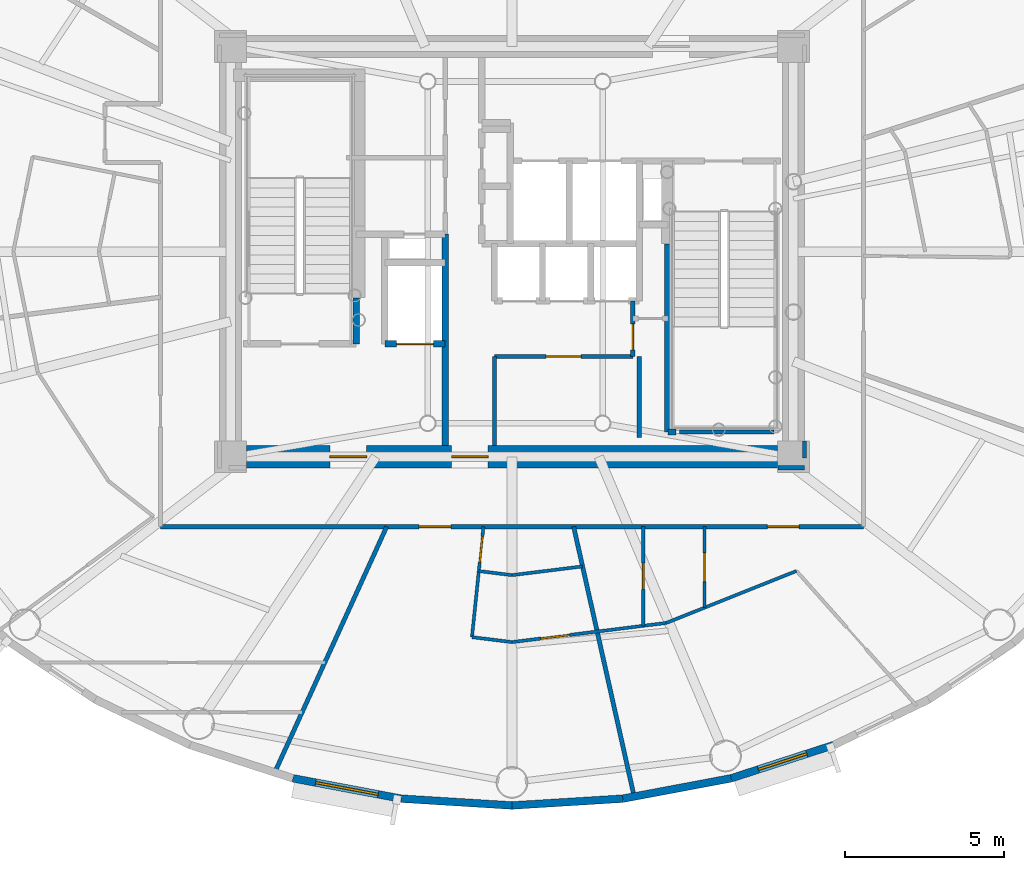
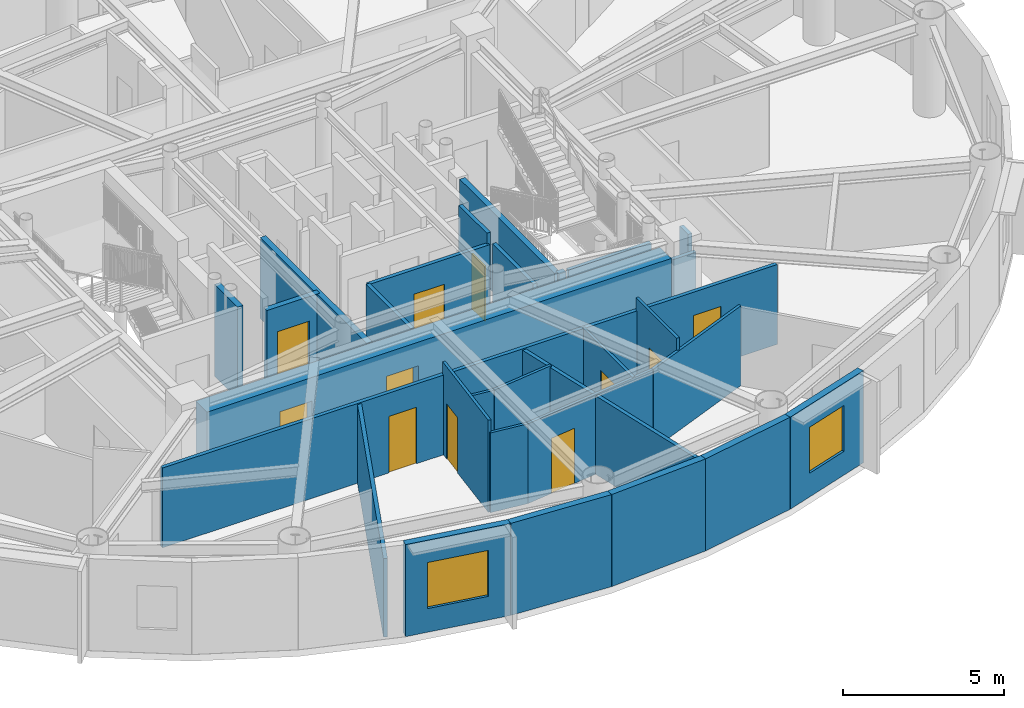
# One storey, part 6 of 17: 29 walls, 11 doors, 2 windows, 13 openings.
"""IFC4 building model written with IfcOpenShell, lengths in metres."""

import ifcopenshell
import ifcopenshell.guid

model = None  # the IFC model being written
_history = None  # IfcOwnerHistory: only IFC2X3 demands one
_inside = {}  # id of a spatial element -> (the spatial element, [elements in it])
_under = {}  # id of a project, library or spatial element -> (it, [spatial elements below it])
_declared = {}  # id of a project -> (the project, [libraries it declares])
_typed = {}  # id of a type object -> (the type object, [elements of that type])
_made_of = {}  # id of a material, layer set ... -> (it, [elements and type objects made of it])


def new_model(schema):
    """Start an empty IFC model of exactly this schema.

    Asked for "IFC4X3", IfcOpenShell would pick the latest addendum, in which some entities
    have other attributes; the version numbers below select the first issue.
    IFC2X3 requires an IfcOwnerHistory on every rooted entity: one is made here for all.
    """
    global model, _history
    if schema == "IFC4X3":
        model = ifcopenshell.file(schema_version=(4, 3, 0, 0))
    else:
        model = ifcopenshell.file(schema=schema)
    _inside.clear()
    _under.clear()
    _declared.clear()
    _typed.clear()
    _made_of.clear()
    _history = None
    if model.schema == "IFC2X3":
        org = make("IfcOrganization", Name="unknown")
        user = make(
            "IfcPersonAndOrganization",
            ThePerson=make("IfcPerson", FamilyName="unknown"),
            TheOrganization=org,
        )
        app = make(
            "IfcApplication",
            ApplicationDeveloper=org,
            Version="unknown",
            ApplicationFullName="unknown",
            ApplicationIdentifier="unknown",
        )
        _history = make(
            "IfcOwnerHistory",
            OwningUser=user,
            OwningApplication=app,
            ChangeAction="ADDED",
            CreationDate=0,
        )
    return model


def make(cls, **values):
    """One entity of the class cls with the attributes given. An attribute that is None is left unset."""
    return model.create_entity(
        cls, **{name: value for name, value in values.items() if value is not None}
    )


def rooted(cls, **values):
    """An entity with a GlobalId (a new one), such as an element, a storey or a relation."""
    return make(cls, GlobalId=ifcopenshell.guid.new(), OwnerHistory=_history, **values)


def si_unit(unit_type, name, prefix=None):
    """IfcSIUnit, for example si_unit("LENGTHUNIT", "METRE", prefix="MILLI")."""
    return make("IfcSIUnit", UnitType=unit_type, Prefix=prefix, Name=name)


def assignment(units):
    """IfcUnitAssignment: the units of a project."""
    return None if units is None else make("IfcUnitAssignment", Units=units)


def point(xyz):
    """IfcCartesianPoint."""
    return None if xyz is None else make("IfcCartesianPoint", Coordinates=xyz)


def direction(xyz):
    """IfcDirection."""
    return None if xyz is None else make("IfcDirection", DirectionRatios=xyz)


def frame(location, z_axis=None, x_axis=None):
    """IfcAxis2Placement3D, a coordinate frame: its origin and axes. An axis left out is left unset."""
    return make(
        "IfcAxis2Placement3D",
        Location=point(location),
        Axis=direction(z_axis),
        RefDirection=direction(x_axis),
    )


def frame_2d(location, x_axis=None):
    """IfcAxis2Placement2D, a coordinate frame in the plane: its origin and x axis."""
    return make(
        "IfcAxis2Placement2D", Location=point(location), RefDirection=direction(x_axis)
    )


def origin():
    """The frame at (0, 0, 0) with its axes left unset."""
    return frame((0.0, 0.0, 0.0))


def origin_2d():
    """The frame at (0, 0) in the plane with its x axis left unset."""
    return frame_2d((0.0, 0.0))


def place(relative_to, where):
    """IfcLocalPlacement: puts the frame where relative to a parent placement (None: the world)."""
    return make(
        "IfcLocalPlacement", PlacementRelTo=relative_to, RelativePlacement=where
    )


def context(
    kind, dimensions, precision=None, world=None, true_north=None, identifier=None
):
    """IfcGeometricRepresentationContext, for example the 3D "Model" context."""
    return make(
        "IfcGeometricRepresentationContext",
        ContextIdentifier=identifier,
        ContextType=kind,
        CoordinateSpaceDimension=dimensions,
        Precision=precision,
        WorldCoordinateSystem=world,
        TrueNorth=true_north,
    )


def subcontext(parent, identifier, kind, view, scale=None):
    """IfcGeometricRepresentationSubContext, for example "Body" below "Model"."""
    return make(
        "IfcGeometricRepresentationSubContext",
        ContextIdentifier=identifier,
        ContextType=kind,
        ParentContext=parent,
        TargetScale=scale,
        TargetView=view,
    )


def project(units=None, contexts=None):
    """IfcProject with its units and contexts."""
    return rooted(
        "IfcProject",
        Name="project",
        RepresentationContexts=contexts,
        UnitsInContext=assignment(units),
    )


def spatial(cls, under=None, at=None, **own):
    """A site, building, storey or space (cls), placed at a placement, below another one or the project."""
    s = rooted(cls, ObjectPlacement=at, **own)
    if under is not None:
        _under.setdefault(under.id(), (under, []))[1].append(s)
    return s


def profile(cls, at=None, kind="AREA", **sizes):
    """A parametric profile (cls). Its sizes go by their IFC names, for example OverallWidth=200.0."""
    return make(cls, ProfileType=kind, Position=at, **sizes)


def rectangle(**sizes):
    """IfcRectangleProfileDef."""
    return profile("IfcRectangleProfileDef", **sizes)


def extrude(swept, where, along, depth):
    """IfcExtrudedAreaSolid: the profile swept, set in the frame where, extruded along a direction by depth."""
    return make(
        "IfcExtrudedAreaSolid",
        SweptArea=swept,
        Position=where,
        ExtrudedDirection=direction(along),
        Depth=depth,
    )


def shape(context_of_items, identifier, shape_type, items):
    """IfcShapeRepresentation: the items that make up one representation, for example the "Body"."""
    return make(
        "IfcShapeRepresentation",
        ContextOfItems=context_of_items,
        RepresentationIdentifier=identifier,
        RepresentationType=shape_type,
        Items=items,
    )


def source(mapping_origin, context_of_items, identifier, shape_type, items):
    """IfcRepresentationMap: a shape defined once, which mapped items show again and again."""
    return make(
        "IfcRepresentationMap",
        MappingOrigin=mapping_origin,
        MappedRepresentation=shape(context_of_items, identifier, shape_type, items),
    )


def transform(
    local_origin,
    x_axis=None,
    y_axis=None,
    z_axis=None,
    scale=None,
    scale2=None,
    scale3=None,
    uniform=True,
):
    """IfcCartesianTransformationOperator3D, or its non-uniform kind. x_axis, y_axis, z_axis: its Axis1, 2, 3."""
    if uniform:
        return make(
            "IfcCartesianTransformationOperator3D",
            Axis1=direction(x_axis),
            Axis2=direction(y_axis),
            LocalOrigin=point(local_origin),
            Scale=scale,
            Axis3=direction(z_axis),
        )
    return make(
        "IfcCartesianTransformationOperator3DnonUniform",
        Axis1=direction(x_axis),
        Axis2=direction(y_axis),
        LocalOrigin=point(local_origin),
        Scale=scale,
        Axis3=direction(z_axis),
        Scale2=scale2,
        Scale3=scale3,
    )


def mapped(mapping_source, mapping_target):
    """IfcMappedItem: shows the shape of a source again, moved by a transform."""
    return make(
        "IfcMappedItem", MappingSource=mapping_source, MappingTarget=mapping_target
    )


def material(Name=None, Category=None):
    """IfcMaterial."""
    return make("IfcMaterial", Name=Name, Category=Category)


def layer(
    of_material, thickness, ventilated=None, Name=None, Category=None, Priority=None
):
    """IfcMaterialLayer: one layer of a wall or slab, of a material (None: an air gap)."""
    return make(
        "IfcMaterialLayer",
        Material=of_material,
        LayerThickness=thickness,
        IsVentilated=ventilated,
        Name=Name,
        Category=Category,
        Priority=Priority,
    )


def layer_set(layers, Name=None):
    """IfcMaterialLayerSet."""
    return make("IfcMaterialLayerSet", MaterialLayers=layers, LayerSetName=Name)


def made_of(thing, what):
    """Note that an element or type object is made of a material, layer set ...; save() writes the relation."""
    if what is not None:
        _made_of.setdefault(what.id(), (what, []))[1].append(thing)
    return thing


def type_object(cls, material=None, **own):
    """A type object (cls), such as IfcWallType, which elements share."""
    return made_of(rooted(cls, **own), material)


def element(
    cls,
    number,
    at=None,
    inside=None,
    cuts=None,
    type_object=None,
    material=None,
    context=None,
    identifier="Body",
    shape_type=None,
    held_by="IfcProductDefinitionShape",
    body=None,
    shapes=None,
    **own,
):
    """One element of the class cls, such as IfcWall. Its Tag is "e" and its number.

    at: its placement. inside: the storey or other place that contains it. cuts: it is an
    opening in that element (IfcRelVoidsElement). A single representation is given by context,
    identifier, shape_type and body (its items); several are given by shapes. held_by: the class
    of the entity that holds the representations. save() writes the other relations.
    """
    e = rooted(cls, Tag="e%d" % number, ObjectPlacement=at, **own)
    if body is not None:
        shapes = [shape(context, identifier, shape_type, body)]
    if shapes is not None:
        e.Representation = make(held_by, Representations=shapes)
    if inside is not None:
        _inside.setdefault(inside.id(), (inside, []))[1].append(e)
    if cuts is not None:
        rooted(
            "IfcRelVoidsElement", RelatingBuildingElement=cuts, RelatedOpeningElement=e
        )
    if type_object is not None:
        _typed.setdefault(type_object.id(), (type_object, []))[1].append(e)
    return made_of(e, material)


def fill(opening, filler):
    """IfcRelFillsElement: the door or window that sits in an opening."""
    return rooted(
        "IfcRelFillsElement",
        RelatingOpeningElement=opening,
        RelatedBuildingElement=filler,
    )


def aggregate(whole, parts):
    """IfcRelAggregates: a whole, such as a stair, and the parts it consists of."""
    return rooted("IfcRelAggregates", RelatingObject=whole, RelatedObjects=parts)


def save(model, path):
    """Write the relations noted so far, then the file.

    IfcRelAggregates (storeys below a building ...), IfcRelContainedInSpatialStructure (elements
    in a storey), IfcRelDefinesByType, IfcRelAssociatesMaterial and IfcRelDeclares: one each for
    every whole, place, type object, material and project.
    """
    for whole, parts in _under.values():
        aggregate(whole, parts)
    for where, things in _inside.values():
        rooted(
            "IfcRelContainedInSpatialStructure",
            RelatedElements=things,
            RelatingStructure=where,
        )
    for kind, things in _typed.values():
        rooted("IfcRelDefinesByType", RelatedObjects=things, RelatingType=kind)
    for what, things in _made_of.values():
        rooted("IfcRelAssociatesMaterial", RelatedObjects=things, RelatingMaterial=what)
    for by, libraries in _declared.values():
        rooted("IfcRelDeclares", RelatingContext=by, RelatedDefinitions=libraries)
    model.write(path)


model = new_model("IFC4")

# Units and contexts
model_context = context("Model", 3, precision=1e-05, world=origin(), true_north=direction((0.0, 1.0)))
body_context = subcontext(model_context, "Body", "Model", "MODEL_VIEW")
ifc_project = project(units=[si_unit("LENGTHUNIT", "METRE"), si_unit("AREAUNIT", "SQUARE_METRE"), si_unit("VOLUMEUNIT", "CUBIC_METRE"), si_unit("PLANEANGLEUNIT", "RADIAN"), si_unit("MASSUNIT", "GRAM", prefix="KILO")], contexts=[model_context])

# Site, building, storey
site_placement = place(None, origin())
site = spatial("IfcSite", under=ifc_project, at=site_placement, CompositionType="ELEMENT")
building_placement = place(site_placement, origin())
building = spatial("IfcBuilding", under=site, at=building_placement, Name="Linh Dai School and Residence Tower", CompositionType="ELEMENT")
storey_placement = place(building_placement, frame((0.0, 0.0, 299.25)))
storey = spatial("IfcBuildingStorey", under=building, at=storey_placement, Name="L74", CompositionType="ELEMENT", Elevation=299.25)

# Wall, opening, window
ifc_material_1 = material(Name="Precast Concrete B45 (C35/45)", Category="concrete")
ifc_layer_1 = layer(ifc_material_1, 0.239990234375)
ifc_layer_set_1 = layer_set([ifc_layer_1], Name="Precast Concrete B45 (C35/45)")
wall_type_1 = type_object("IfcWallType", Name="EW-TC-240", PredefinedType="SOLIDWALL", material=ifc_layer_set_1)
wall_1_placement = place(storey_placement, frame((32.51123046875, 9.800048828125, 0.0), z_axis=(0.0, 0.0, 1.0), x_axis=(-0.982782655757, 0.184765395959, 0.0)))
wall_1 = element("IfcWall", 1, at=wall_1_placement, inside=storey, type_object=wall_type_1, Name="L74 Terracotta Exterior Wall 29", PredefinedType="SOLIDWALL", context=body_context, shape_type="SweptSolid", body=[
    extrude(rectangle(XDim=3.4619140625, YDim=0.239990234375, at=frame_2d((1.73095703125, 0.0))), origin(), (0.0, 0.0, 1.0), 3.5),
])
opening_1_placement = place(wall_1_placement, frame((0.73095703125, 0.0, 0.89990234375)))
opening_1 = element("IfcOpeningElement", 2, at=opening_1_placement, cuts=wall_1, Name="Opening W1", PredefinedType="OPENING", context=body_context, shape_type="SweptSolid", body=[
    extrude(rectangle(XDim=2.0, YDim=1.75, at=origin_2d()), frame((1.0, 0.1298828125, 0.875), z_axis=(0.0, -1.0, 0.0), x_axis=(1.0, 0.0, 0.0)), (0.0, 0.0, 1.0), 0.260009765625),
])
ifc_material_2 = material(Name="Double Low-E Insulated Glazing", Category="glass")
window_type_1 = type_object("IfcWindowType", Name="WN-RES-2000x1750", PartitioningType="DOUBLE_PANEL_VERTICAL", PredefinedType="WINDOW", material=ifc_material_2)
shared_shape_1 = source(origin(), body_context, "Body", "SweptSolid", [
    extrude(rectangle(XDim=2.0, YDim=1.75, at=origin_2d()), frame((1.0, 0.030029296875, 0.875), z_axis=(0.0, -1.0, 0.0), x_axis=(1.0, 0.0, 0.0)), (0.0, 0.0, 1.0), 0.06005859375),
])
window_1_placement = place(opening_1_placement, origin())
window_1 = element("IfcWindow", 3, at=window_1_placement, inside=storey, type_object=window_type_1, Name="L74 Exterior Window 29.1", OverallHeight=1.75, OverallWidth=2.0, PartitioningType="DOUBLE_PANEL_VERTICAL", PredefinedType="WINDOW", context=body_context, shape_type="MappedRepresentation", body=[
    mapped(shared_shape_1, transform((0.0, 0.0, 0.0), x_axis=(1.0, 0.0, 0.0), y_axis=(0.0, 1.0, 0.0), z_axis=(0.0, 0.0, 1.0), scale=1.0)),
])
fill(opening_1, window_1)

# Walls
for number, where, z_axis, x_axis, name in (
    (4, (36.0, 9.5849609375, 0.0), (0.0, 0.0, 1.0), (-0.998104946479, 0.061534671648, 0.0), "L74 Terracotta Exterior Wall 30"),
    (5, (39.48876953125, 9.800048828125, 0.0), (0.0, 0.0, 1.0), (-0.998104946479, -0.061534671648, 0.0), "L74 Terracotta Exterior Wall 31"),
):
    element("IfcWall", number, at=place(storey_placement, frame(where, z_axis=z_axis, x_axis=x_axis)), inside=storey, type_object=wall_type_1, Name=name, PredefinedType="SOLIDWALL", context=body_context, shape_type="SweptSolid", body=[
        extrude(rectangle(XDim=3.495361328125, YDim=0.239990234375, at=frame_2d((1.74755859375, 0.0))), origin(), (0.0, 0.0, 1.0), 3.5),
    ])
wall_2_placement = place(storey_placement, frame((42.89111328125, 10.439697265625, 0.0), z_axis=(0.0, 0.0, 1.0), x_axis=(-0.982782655757, -0.184765395959, 0.0)))
element("IfcWall", 6, at=wall_2_placement, inside=storey, type_object=wall_type_1, Name="L74 Terracotta Exterior Wall 32", PredefinedType="SOLIDWALL", context=body_context, shape_type="SweptSolid", body=[
    extrude(rectangle(XDim=3.4619140625, YDim=0.239990234375, at=frame_2d((1.73095703125, 0.0))), origin(), (0.0, 0.0, 1.0), 3.5),
])

# Wall, opening, window
wall_3_placement = place(storey_placement, frame((46.123046875, 11.48779296875, 0.0), z_axis=(0.0, 0.0, 1.0), x_axis=(-0.95123136723, -0.308478339592, 0.0)))
wall_3 = element("IfcWall", 7, at=wall_3_placement, inside=storey, type_object=wall_type_1, Name="L74 Terracotta Exterior Wall 33", PredefinedType="SOLIDWALL", context=body_context, shape_type="SweptSolid", body=[
    extrude(rectangle(XDim=3.397705078125, YDim=0.239990234375, at=frame_2d((1.69873046875, 0.0))), origin(), (0.0, 0.0, 1.0), 3.5),
])
opening_2_placement = place(wall_3_placement, frame((0.89892578125, 0.0, 0.89990234375)))
opening_2 = element("IfcOpeningElement", 8, at=opening_2_placement, cuts=wall_3, Name="Opening W2", PredefinedType="OPENING", context=body_context, shape_type="SweptSolid", body=[
    extrude(rectangle(XDim=1.60009765625, YDim=1.75, at=origin_2d()), frame((0.800048828125, 0.1298828125, 0.875), z_axis=(0.0, -1.0, 0.0), x_axis=(1.0, 0.0, 0.0)), (0.0, 0.0, 1.0), 0.260009765625),
])
window_type_2 = type_object("IfcWindowType", Name="WN-RES-1600x1750", PartitioningType="DOUBLE_PANEL_VERTICAL", PredefinedType="WINDOW", material=ifc_material_2)
shared_shape_2 = source(origin(), body_context, "Body", "SweptSolid", [
    extrude(rectangle(XDim=1.60009765625, YDim=1.75, at=origin_2d()), frame((0.800048828125, 0.030029296875, 0.875), z_axis=(0.0, -1.0, 0.0), x_axis=(1.0, 0.0, 0.0)), (0.0, 0.0, 1.0), 0.06005859375),
])
window_2_placement = place(opening_2_placement, origin())
window_2 = element("IfcWindow", 9, at=window_2_placement, inside=storey, type_object=window_type_2, Name="L74 Exterior Window 33.1", OverallHeight=1.75, OverallWidth=1.60009765625, PartitioningType="DOUBLE_PANEL_VERTICAL", PredefinedType="WINDOW", context=body_context, shape_type="MappedRepresentation", body=[
    mapped(shared_shape_2, transform((0.0, 0.0, 0.0), x_axis=(1.0, 0.0, 0.0), y_axis=(0.0, 1.0, 0.0), z_axis=(0.0, 0.0, 1.0), scale=1.0)),
])
fill(opening_2, window_2)

# Wall, openings, doors
ifc_material_3 = material(Name="Autoclaved Aerated Concrete Blockwork", Category="masonry")
ifc_layer_2 = layer(ifc_material_3, 0.135009765625)
ifc_layer_set_2 = layer_set([ifc_layer_2], Name="Autoclaved Aerated Concrete Blockwork")
wall_type_2 = type_object("IfcWallType", Name="IW-CORR-135-EI90", PredefinedType="PARTITIONING", material=ifc_layer_set_2)
wall_4_placement = place(storey_placement, frame((24.949951171875, 18.35009765625, 0.0), z_axis=(0.0, 0.0, 1.0), x_axis=(1.0, 0.0, 0.0)))
wall_4 = element("IfcWall", 10, at=wall_4_placement, inside=storey, type_object=wall_type_2, Name="L74 Interior Partition Wall 017", PredefinedType="PARTITIONING", context=body_context, shape_type="SweptSolid", body=[
    extrude(rectangle(XDim=22.10009765625, YDim=0.135009765625, at=frame_2d((11.050048828125, 0.0))), origin(), (0.0, 0.0, 1.0), 3.034912109375),
])
opening_3_placement = place(wall_4_placement, frame((8.130615234375, 0.0, 0.0)))
opening_3 = element("IfcOpeningElement", 11, at=opening_3_placement, cuts=wall_4, Name="Opening D03", PredefinedType="OPENING", context=body_context, shape_type="SweptSolid", body=[
    extrude(rectangle(XDim=1.0, YDim=2.14990234375, at=origin_2d()), frame((0.5, 0.07763671875, 1.074951171875), z_axis=(0.0, -1.0, 0.0), x_axis=(1.0, 0.0, 0.0)), (0.0, 0.0, 1.0), 0.155029296875),
])
opening_4_placement = place(wall_4_placement, frame((19.08056640625, 0.0, 0.0)))
opening_4 = element("IfcOpeningElement", 12, at=opening_4_placement, cuts=wall_4, Name="Opening D03", PredefinedType="OPENING", context=body_context, shape_type="SweptSolid", body=[
    extrude(rectangle(XDim=1.0, YDim=2.14990234375, at=origin_2d()), frame((0.5, 0.07763671875, 1.074951171875), z_axis=(0.0, -1.0, 0.0), x_axis=(1.0, 0.0, 0.0)), (0.0, 0.0, 1.0), 0.155029296875),
])
ifc_material_4 = material(Name="Fire-Rated Solid Timber Entrance Door", Category="wood")
door_type_1 = type_object("IfcDoorType", Name="DR-FLAT-1000x2150-FD60S", OperationType="NOTDEFINED", PredefinedType="DOOR", material=ifc_material_4)
shared_shape_3 = source(origin(), body_context, "Body", "SweptSolid", [
    extrude(rectangle(XDim=1.0, YDim=2.14990234375, at=origin_2d()), frame((0.5, 0.02490234375, 1.074951171875), z_axis=(0.0, -1.0, 0.0), x_axis=(1.0, 0.0, 0.0)), (0.0, 0.0, 1.0), 0.050048828125),
])
door_1_placement = place(opening_3_placement, origin())
door_1 = element("IfcDoor", 13, at=door_1_placement, inside=storey, type_object=door_type_1, Name="L74 U7405 Apartment Entrance Door", OperationType="SINGLE_SWING_LEFT", OverallHeight=2.14990234375, OverallWidth=1.0, PredefinedType="DOOR", context=body_context, shape_type="MappedRepresentation", body=[
    mapped(shared_shape_3, transform((0.0, 0.0, 0.0), x_axis=(1.0, 0.0, 0.0), y_axis=(0.0, 1.0, 0.0), z_axis=(0.0, 0.0, 1.0), scale=1.0)),
])
fill(opening_3, door_1)
door_2_placement = place(opening_4_placement, origin())
door_2 = element("IfcDoor", 14, at=door_2_placement, inside=storey, type_object=door_type_1, Name="L74 U7406 Apartment Entrance Door", OperationType="SINGLE_SWING_RIGHT", OverallHeight=2.14990234375, OverallWidth=1.0, PredefinedType="DOOR", context=body_context, shape_type="MappedRepresentation", body=[
    mapped(shared_shape_3, transform((0.0, 0.0, 0.0), x_axis=(1.0, 0.0, 0.0), y_axis=(0.0, 1.0, 0.0), z_axis=(0.0, 0.0, 1.0), scale=1.0)),
])
fill(opening_4, door_2)

# Walls
wall_5_placement = place(storey_placement, frame((28.537353515625, 10.61962890625, 0.0), z_axis=(0.0, 0.0, 1.0), x_axis=(0.414582330606, 0.910011808247, 0.0)))
element("IfcWall", 15, at=wall_5_placement, inside=storey, type_object=wall_type_2, Name="L74 Interior Partition Wall 025", PredefinedType="PARTITIONING", context=body_context, shape_type="SweptSolid", body=[
    extrude(rectangle(XDim=8.49462890625, YDim=0.135009765625, at=frame_2d((4.247314453125, 0.0))), origin(), (0.0, 0.0, 1.0), 2.985107421875),
])
wall_6_placement = place(storey_placement, frame((35.449951171875, 20.89990234375, 0.0), z_axis=(0.0, 0.0, 1.0), x_axis=(0.0, 1.0, 0.0)))
element("IfcWall", 16, at=wall_6_placement, inside=storey, type_object=wall_type_2, Name="L74 Interior Partition Wall 050", PredefinedType="PARTITIONING", context=body_context, shape_type="SweptSolid", body=[
    extrude(rectangle(XDim=2.800048828125, YDim=0.135009765625, at=frame_2d((1.39990234375, 0.0))), origin(), (0.0, 0.0, 1.0), 3.0849609375),
])

# Wall, opening, door
wall_7_placement = place(storey_placement, frame((35.449951171875, 23.699951171875, 0.0), z_axis=(0.0, 0.0, 1.0), x_axis=(1.0, 0.0, 0.0)))
wall_7 = element("IfcWall", 17, at=wall_7_placement, inside=storey, type_object=wall_type_2, Name="L74 Interior Partition Wall 051", PredefinedType="PARTITIONING", context=body_context, shape_type="SweptSolid", body=[
    extrude(rectangle(XDim=4.35009765625, YDim=0.135009765625, at=frame_2d((2.175048828125, 0.0))), origin(), (0.0, 0.0, 1.0), 3.0849609375),
])
opening_5_placement = place(wall_7_placement, frame((1.625, 0.0, 0.0)))
opening_5 = element("IfcOpeningElement", 18, at=opening_5_placement, cuts=wall_7, Name="Opening D07", PredefinedType="OPENING", context=body_context, shape_type="SweptSolid", body=[
    extrude(rectangle(XDim=1.10009765625, YDim=2.14990234375, at=origin_2d()), frame((0.550048828125, 0.07763671875, 1.074951171875), z_axis=(0.0, -1.0, 0.0), x_axis=(1.0, 0.0, 0.0)), (0.0, 0.0, 1.0), 0.155029296875),
])
ifc_material_5 = material(Name="Fire-Rated Louvred Steel Plant Door", Category="steel")
door_type_2 = type_object("IfcDoorType", Name="DR-PLT-1100x2150-FD60S", OperationType="NOTDEFINED", PredefinedType="DOOR", material=ifc_material_5)
shared_shape_4 = source(origin(), body_context, "Body", "SweptSolid", [
    extrude(rectangle(XDim=1.10009765625, YDim=2.14990234375, at=origin_2d()), frame((0.550048828125, 0.02490234375, 1.074951171875), z_axis=(0.0, -1.0, 0.0), x_axis=(1.0, 0.0, 0.0)), (0.0, 0.0, 1.0), 0.050048828125),
])
door_3_placement = place(opening_5_placement, origin())
door_3 = element("IfcDoor", 19, at=door_3_placement, inside=storey, type_object=door_type_2, Name="L74 Tenant Metering and BMS Room Door", OperationType="SINGLE_SWING_RIGHT", OverallHeight=2.14990234375, OverallWidth=1.10009765625, PredefinedType="DOOR", context=body_context, shape_type="MappedRepresentation", body=[
    mapped(shared_shape_4, transform((0.0, 0.0, 0.0), x_axis=(1.0, 0.0, 0.0), y_axis=(0.0, 1.0, 0.0), z_axis=(0.0, 0.0, 1.0), scale=1.0)),
])
fill(opening_5, door_3)

# Wall
wall_8_placement = place(storey_placement, frame((37.939208984375, 18.35009765625, 0.0), z_axis=(0.0, 0.0, 1.0), x_axis=(0.218784248646, -0.975773258777, 0.0)))
element("IfcWall", 20, at=wall_8_placement, inside=storey, type_object=wall_type_2, Name="L74 Interior Partition Wall 062", PredefinedType="PARTITIONING", context=body_context, shape_type="SweptSolid", body=[
    extrude(rectangle(XDim=8.699462890625, YDim=0.135009765625, at=frame_2d((4.349609375, 0.0))), origin(), (0.0, 0.0, 1.0), 2.985107421875),
])

# Wall, opening, door
wall_9_placement = place(storey_placement, frame((39.800048828125, 23.699951171875, 0.0), z_axis=(0.0, 0.0, 1.0), x_axis=(0.0, 1.0, 0.0)))
wall_9 = element("IfcWall", 21, at=wall_9_placement, inside=storey, type_object=wall_type_2, Name="L74 Interior Partition Wall 065", PredefinedType="PARTITIONING", context=body_context, shape_type="SweptSolid", body=[
    extrude(rectangle(XDim=1.75, YDim=0.135009765625, at=frame_2d((0.875, 0.0))), origin(), (0.0, 0.0, 1.0), 3.5),
])
opening_6_placement = place(wall_9_placement, frame((0.2099609375, 0.0, 0.0)))
opening_6 = element("IfcOpeningElement", 22, at=opening_6_placement, cuts=wall_9, Name="Opening D06", PredefinedType="OPENING", context=body_context, shape_type="SweptSolid", body=[
    extrude(rectangle(XDim=0.820068359375, YDim=2.10009765625, at=origin_2d()), frame((0.41015625, 0.07763671875, 1.050048828125), z_axis=(0.0, -1.0, 0.0), x_axis=(1.0, 0.0, 0.0)), (0.0, 0.0, 1.0), 0.155029296875),
])
ifc_material_6 = material(Name="Moisture-Resistant Timber Bathroom Door", Category="wood")
door_type_3 = type_object("IfcDoorType", Name="DR-WET-820x2100", OperationType="NOTDEFINED", PredefinedType="DOOR", material=ifc_material_6)
shared_shape_5 = source(origin(), body_context, "Body", "SweptSolid", [
    extrude(rectangle(XDim=0.820068359375, YDim=2.10009765625, at=origin_2d()), frame((0.41015625, 0.02490234375, 1.050048828125), z_axis=(0.0, -1.0, 0.0), x_axis=(1.0, 0.0, 0.0)), (0.0, 0.0, 1.0), 0.050048828125),
])
door_4_placement = place(opening_6_placement, origin())
door_4 = element("IfcDoor", 23, at=door_4_placement, inside=storey, type_object=door_type_3, Name="L74 SE Metering Closet Door", OperationType="SINGLE_SWING_LEFT", OverallHeight=2.10009765625, OverallWidth=0.820068359375, PredefinedType="DOOR", context=body_context, shape_type="MappedRepresentation", body=[
    mapped(shared_shape_5, transform((0.0, 0.0, 0.0), x_axis=(1.0, 0.0, 0.0), y_axis=(0.0, 1.0, 0.0), z_axis=(0.0, 0.0, 1.0), scale=1.0)),
])
fill(opening_6, door_4)

# Walls
wall_10_placement = place(storey_placement, frame((44.239990234375, 21.330078125, 0.0), z_axis=(0.0, 0.0, 1.0), x_axis=(-1.0, 0.0, 0.0)))
element("IfcWall", 24, at=wall_10_placement, inside=storey, type_object=wall_type_2, Name="L74 Interior Partition Wall 090", PredefinedType="PARTITIONING", context=body_context, shape_type="SweptSolid", body=[
    extrude(rectangle(XDim=2.97998046875, YDim=0.135009765625, at=frame_2d((1.489990234375, 0.0))), origin(), (0.0, 0.0, 1.0), 3.034912109375),
])
wall_11_placement = place(storey_placement, frame((40.0, 23.699951171875, 0.0), z_axis=(0.0, 0.0, 1.0), x_axis=(0.0, -1.0, 0.0)))
element("IfcWall", 25, at=wall_11_placement, inside=storey, type_object=wall_type_2, Name="L74 Interior Partition Wall 091", PredefinedType="PARTITIONING", context=body_context, shape_type="SweptSolid", body=[
    extrude(rectangle(XDim=2.5400390625, YDim=0.135009765625, at=frame_2d((1.27001953125, 0.0))), origin(), (0.0, 0.0, 1.0), 3.034912109375),
])
wall_12_placement = place(storey_placement, frame((44.360107421875, 20.199951171875, 0.0), z_axis=(0.0, 0.0, 1.0), x_axis=(1.0, 0.0, 0.0)))
element("IfcWall", 26, at=wall_12_placement, inside=storey, type_object=wall_type_2, Name="L74 Interior Partition Wall 097", PredefinedType="PARTITIONING", context=body_context, shape_type="SweptSolid", body=[
    extrude(rectangle(XDim=0.83984375, YDim=0.135009765625, at=frame_2d((0.419921875, 0.0))), origin(), (0.0, 0.0, 1.0), 3.034912109375),
])
wall_13_placement = place(storey_placement, frame((45.199951171875, 20.507568359375, 0.0), z_axis=(0.0, 0.0, 1.0), x_axis=(0.0, 1.0, 0.0)))
element("IfcWall", 27, at=wall_13_placement, inside=storey, type_object=wall_type_2, Name="L74 Interior Partition Wall 098", PredefinedType="PARTITIONING", context=body_context, shape_type="SweptSolid", body=[
    extrude(rectangle(XDim=0.532470703125, YDim=0.135009765625, at=frame_2d((0.26611328125, 0.0))), origin(), (0.0, 0.0, 1.0), 3.5),
])
ifc_material_7 = material(Name="Concrete B45 (C35/45)", Category="concrete")
ifc_layer_3 = layer(ifc_material_7, 0.199951171875)
ifc_layer_set_3 = layer_set([ifc_layer_3], Name="Concrete B45 (C35/45)")
wall_type_3 = type_object("IfcWallType", Name="IW-SHAFT-200-EI120", PredefinedType="PARTITIONING", material=ifc_layer_set_3)
wall_14_placement = place(storey_placement, frame((31.10009765625, 24.10009765625, 0.0), z_axis=(0.0, 0.0, 1.0), x_axis=(0.0, 1.0, 0.0)))
element("IfcWall", 28, at=wall_14_placement, inside=storey, type_object=wall_type_3, Name="L74 Interior Partition Wall 029", PredefinedType="PARTITIONING", context=body_context, shape_type="SweptSolid", body=[
    extrude(rectangle(XDim=1.43994140625, YDim=0.199951171875, at=frame_2d((0.719970703125, 0.0))), origin(), (0.0, 0.0, 1.0), 3.5),
])

# Wall, opening, door
wall_15_placement = place(storey_placement, frame((32.0, 24.10009765625, 0.0), z_axis=(0.0, 0.0, 1.0), x_axis=(1.0, 0.0, 0.0)))
wall_15 = element("IfcWall", 29, at=wall_15_placement, inside=storey, type_object=wall_type_3, Name="L74 Interior Partition Wall 033", PredefinedType="PARTITIONING", context=body_context, shape_type="SweptSolid", body=[
    extrude(rectangle(XDim=1.89990234375, YDim=0.199951171875, at=frame_2d((0.949951171875, 0.0))), origin(), (0.0, 0.0, 1.0), 3.0849609375),
])
opening_7_placement = place(wall_15_placement, frame((0.375, 0.0, 0.0)))
opening_7 = element("IfcOpeningElement", 30, at=opening_7_placement, cuts=wall_15, Name="Opening LD-FF2", PredefinedType="OPENING", context=body_context, shape_type="SweptSolid", body=[
    extrude(rectangle(XDim=1.14990234375, YDim=2.14990234375, at=origin_2d()), frame((0.574951171875, 0.10986328125, 1.074951171875), z_axis=(0.0, -1.0, 0.0), x_axis=(1.0, 0.0, 0.0)), (0.0, 0.0, 1.0), 0.219970703125),
])
ifc_material_8 = material(Name="Fire-Rated Stainless Steel Firefighting Lift Door", Category="steel")
door_type_4 = type_object("IfcDoorType", Name="DR-LD-FF-1150x2150-FD120", OperationType="DOUBLE_DOOR_SLIDING", PredefinedType="USERDEFINED", material=ifc_material_8)
shared_shape_6 = source(origin(), body_context, "Body", "SweptSolid", [
    extrude(rectangle(XDim=1.14990234375, YDim=2.14990234375, at=origin_2d()), frame((0.574951171875, 0.02490234375, 1.074951171875), z_axis=(0.0, -1.0, 0.0), x_axis=(1.0, 0.0, 0.0)), (0.0, 0.0, 1.0), 0.050048828125),
])
door_5_placement = place(opening_7_placement, origin())
door_5 = element("IfcDoor", 31, at=door_5_placement, inside=storey, type_object=door_type_4, Name="L74 Lift FF2 Sliding Landing Door", ObjectType="LANDING DOOR", OperationType="DOUBLE_DOOR_SLIDING", OverallHeight=2.14990234375, OverallWidth=1.14990234375, PredefinedType="USERDEFINED", context=body_context, shape_type="MappedRepresentation", body=[
    mapped(shared_shape_6, transform((0.0, 0.0, 0.0), x_axis=(1.0, 0.0, 0.0), y_axis=(0.0, 1.0, 0.0), z_axis=(0.0, 0.0, 1.0), scale=1.0)),
])
fill(opening_7, door_5)

# Walls
wall_16_placement = place(storey_placement, frame((33.89990234375, 20.89990234375, 0.0), z_axis=(0.0, 0.0, 1.0), x_axis=(0.0, 1.0, 0.0)))
element("IfcWall", 32, at=wall_16_placement, inside=storey, type_object=wall_type_3, Name="L74 Interior Partition Wall 035", PredefinedType="PARTITIONING", context=body_context, shape_type="SweptSolid", body=[
    extrude(rectangle(XDim=6.650146484375, YDim=0.199951171875, at=frame_2d((3.3251953125, 0.0))), origin(), (0.0, 0.0, 1.0), 3.0849609375),
])
wall_17_placement = place(storey_placement, frame((40.89990234375, 21.330078125, 0.0), z_axis=(0.0, 0.0, 1.0), x_axis=(0.0, 1.0, 0.0)))
element("IfcWall", 33, at=wall_17_placement, inside=storey, type_object=wall_type_3, Name="L74 Interior Partition Wall 073", PredefinedType="PARTITIONING", context=body_context, shape_type="SweptSolid", body=[
    extrude(rectangle(XDim=5.909912109375, YDim=0.199951171875, at=frame_2d((2.955078125, 0.0))), origin(), (0.0, 0.0, 1.0), 3.034912109375),
])
wall_18_placement = place(storey_placement, frame((40.89990234375, 21.330078125, 0.0), z_axis=(0.0, 0.0, 1.0), x_axis=(1.0, 0.0, 0.0)))
element("IfcWall", 34, at=wall_18_placement, inside=storey, type_object=wall_type_3, Name="L74 Interior Partition Wall 074", PredefinedType="PARTITIONING", context=body_context, shape_type="SweptSolid", body=[
    extrude(rectangle(XDim=0.25, YDim=0.199951171875, at=frame_2d((0.125, 0.0))), origin(), (0.0, 0.0, 1.0), 3.034912109375),
])

# Wall, opening, door
ifc_material_9 = material(Name="Gypsum Plasterboard Acoustic Stud Partition", Category="masonry")
ifc_layer_4 = layer(ifc_material_9, 0.10009765625)
ifc_layer_set_4 = layer_set([ifc_layer_4], Name="Gypsum Plasterboard Acoustic Stud Partition")
wall_type_4 = type_object("IfcWallType", Name="IW-UNIT-100", PredefinedType="PARTITIONING", material=ifc_layer_set_4)
wall_19_placement = place(storey_placement, frame((34.7412109375, 14.878173828125, 0.0), z_axis=(0.0, 0.0, 1.0), x_axis=(0.103304807989, 0.994649745713, 0.0)))
wall_19 = element("IfcWall", 35, at=wall_19_placement, inside=storey, type_object=wall_type_4, Name="L74 Interior Partition Wall 038", PredefinedType="PARTITIONING", context=body_context, shape_type="SweptSolid", body=[
    extrude(rectangle(XDim=3.490478515625, YDim=0.10009765625, at=frame_2d((1.7451171875, 0.0))), origin(), (0.0, 0.0, 1.0), 3.5),
])
opening_8_placement = place(wall_19_placement, frame((2.35986328125, 0.0, 0.0)))
opening_8 = element("IfcOpeningElement", 36, at=opening_8_placement, cuts=wall_19, Name="Opening D06", PredefinedType="OPENING", context=body_context, shape_type="SweptSolid", body=[
    extrude(rectangle(XDim=0.820068359375, YDim=2.10009765625, at=origin_2d()), frame((0.41015625, 0.06005859375, 1.050048828125), z_axis=(0.0, -1.0, 0.0), x_axis=(1.0, 0.0, 0.0)), (0.0, 0.0, 1.0), 0.1201171875),
])
door_6_placement = place(opening_8_placement, origin())
door_6 = element("IfcDoor", 37, at=door_6_placement, inside=storey, type_object=door_type_3, Name="L74 Apartment U7405 Bathroom Door", OperationType="SINGLE_SWING_RIGHT", OverallHeight=2.10009765625, OverallWidth=0.820068359375, PredefinedType="DOOR", context=body_context, shape_type="MappedRepresentation", body=[
    mapped(shared_shape_5, transform((0.0, 0.0, 0.0), x_axis=(1.0, 0.0, 0.0), y_axis=(0.0, 1.0, 0.0), z_axis=(0.0, 0.0, 1.0), scale=1.0)),
])
fill(opening_8, door_6)

# Walls
wall_20_placement = place(storey_placement, frame((34.7412109375, 14.878173828125, 0.0), z_axis=(0.0, 0.0, 1.0), x_axis=(0.992384109965, -0.123181891074, 0.0)))
element("IfcWall", 38, at=wall_20_placement, inside=storey, type_object=wall_type_4, Name="L74 Interior Partition Wall 039", PredefinedType="PARTITIONING", context=body_context, shape_type="SweptSolid", body=[
    extrude(rectangle(XDim=1.2685546875, YDim=0.10009765625, at=frame_2d((0.63427734375, 0.0))), origin(), (0.0, 0.0, 1.0), 3.034912109375),
])
wall_21_placement = place(storey_placement, frame((34.95703125, 16.9560546875, 0.0), z_axis=(0.0, 0.0, 1.0), x_axis=(0.99242017646, -0.122890981589, 0.0)))
element("IfcWall", 39, at=wall_21_placement, inside=storey, type_object=wall_type_4, Name="L74 Interior Partition Wall 040", PredefinedType="PARTITIONING", context=body_context, shape_type="SweptSolid", body=[
    extrude(rectangle(XDim=1.051025390625, YDim=0.10009765625, at=frame_2d((0.525390625, 0.0))), origin(), (0.0, 0.0, 1.0), 3.034912109375),
])

# Wall, opening, door
wall_22_placement = place(storey_placement, frame((36.0, 14.721923828125, 0.0), z_axis=(0.0, 0.0, 1.0), x_axis=(0.99239360053, 0.123105408601, 0.0)))
wall_22 = element("IfcWall", 40, at=wall_22_placement, inside=storey, type_object=wall_type_4, Name="L74 Interior Partition Wall 056", PredefinedType="PARTITIONING", context=body_context, shape_type="SweptSolid", body=[
    extrude(rectangle(XDim=4.882568359375, YDim=0.10009765625, at=frame_2d((2.44140625, 0.0))), origin(), (0.0, 0.0, 1.0), 3.034912109375),
])
opening_9_placement = place(wall_22_placement, frame((0.91943359375, 0.0, 0.0)))
opening_9 = element("IfcOpeningElement", 41, at=opening_9_placement, cuts=wall_22, Name="Opening D05", PredefinedType="OPENING", context=body_context, shape_type="SweptSolid", body=[
    extrude(rectangle(XDim=0.89990234375, YDim=2.10009765625, at=origin_2d()), frame((0.449951171875, 0.06005859375, 1.050048828125), z_axis=(0.0, -1.0, 0.0), x_axis=(1.0, 0.0, 0.0)), (0.0, 0.0, 1.0), 0.1201171875),
])
ifc_material_10 = material(Name="Engineered Timber Internal Door", Category="wood")
door_type_5 = type_object("IfcDoorType", Name="DR-INT-900x2100", OperationType="NOTDEFINED", PredefinedType="DOOR", material=ifc_material_10)
shared_shape_7 = source(origin(), body_context, "Body", "SweptSolid", [
    extrude(rectangle(XDim=0.89990234375, YDim=2.10009765625, at=origin_2d()), frame((0.449951171875, 0.02490234375, 1.050048828125), z_axis=(0.0, -1.0, 0.0), x_axis=(1.0, 0.0, 0.0)), (0.0, 0.0, 1.0), 0.050048828125),
])
door_7_placement = place(opening_9_placement, origin())
door_7 = element("IfcDoor", 42, at=door_7_placement, inside=storey, type_object=door_type_5, Name="L74 Apartment U7405 Kitchen Door", OperationType="SINGLE_SWING_LEFT", OverallHeight=2.10009765625, OverallWidth=0.89990234375, PredefinedType="DOOR", context=body_context, shape_type="MappedRepresentation", body=[
    mapped(shared_shape_7, transform((0.0, 0.0, 0.0), x_axis=(1.0, 0.0, 0.0), y_axis=(0.0, 1.0, 0.0), z_axis=(0.0, 0.0, 1.0), scale=1.0)),
])
fill(opening_9, door_7)

# Wall
wall_23_placement = place(storey_placement, frame((36.0, 16.826904296875, 0.0), z_axis=(0.0, 0.0, 1.0), x_axis=(0.992401670171, 0.123040339085, 0.0)))
element("IfcWall", 43, at=wall_23_placement, inside=storey, type_object=wall_type_4, Name="L74 Interior Partition Wall 057", PredefinedType="PARTITIONING", context=body_context, shape_type="SweptSolid", body=[
    extrude(rectangle(XDim=2.236328125, YDim=0.10009765625, at=frame_2d((1.1181640625, 0.0))), origin(), (0.0, 0.0, 1.0), 3.034912109375),
])

# Wall, opening, door
wall_24_placement = place(storey_placement, frame((40.12646484375, 15.233642578125, 0.0), z_axis=(0.0, 0.0, 1.0), x_axis=(0.0, 1.0, 0.0)))
wall_24 = element("IfcWall", 44, at=wall_24_placement, inside=storey, type_object=wall_type_4, Name="L74 Interior Partition Wall 071", PredefinedType="PARTITIONING", context=body_context, shape_type="SweptSolid", body=[
    extrude(rectangle(XDim=3.116455078125, YDim=0.10009765625, at=frame_2d((1.55810546875, 0.0))), origin(), (0.0, 0.0, 1.0), 3.034912109375),
])
opening_10_placement = place(wall_24_placement, frame((1.148193359375, 0.0, 0.0)))
opening_10 = element("IfcOpeningElement", 45, at=opening_10_placement, cuts=wall_24, Name="Opening D06", PredefinedType="OPENING", context=body_context, shape_type="SweptSolid", body=[
    extrude(rectangle(XDim=0.820068359375, YDim=2.10009765625, at=origin_2d()), frame((0.41015625, 0.06005859375, 1.050048828125), z_axis=(0.0, -1.0, 0.0), x_axis=(1.0, 0.0, 0.0)), (0.0, 0.0, 1.0), 0.1201171875),
])
door_8_placement = place(opening_10_placement, origin())
door_8 = element("IfcDoor", 46, at=door_8_placement, inside=storey, type_object=door_type_3, Name="L74 Apartment U7406 Bathroom 1 Door", OperationType="SINGLE_SWING_LEFT", OverallHeight=2.10009765625, OverallWidth=0.820068359375, PredefinedType="DOOR", context=body_context, shape_type="MappedRepresentation", body=[
    mapped(shared_shape_5, transform((0.0, 0.0, 0.0), x_axis=(1.0, 0.0, 0.0), y_axis=(0.0, 1.0, 0.0), z_axis=(0.0, 0.0, 1.0), scale=1.0)),
])
fill(opening_10, door_8)

# Wall
wall_25_placement = place(storey_placement, frame((40.845458984375, 15.322998046875, 0.0), z_axis=(0.0, 0.0, 1.0), x_axis=(0.928815810282, 0.370541752804, 0.0)))
element("IfcWall", 47, at=wall_25_placement, inside=storey, type_object=wall_type_4, Name="L74 Interior Partition Wall 072", PredefinedType="PARTITIONING", context=body_context, shape_type="SweptSolid", body=[
    extrude(rectangle(XDim=4.413818359375, YDim=0.10009765625, at=frame_2d((2.20703125, 0.0))), origin(), (0.0, 0.0, 1.0), 3.034912109375),
])

# Wall, opening, door
wall_26_placement = place(storey_placement, frame((42.051025390625, 15.803955078125, 0.0), z_axis=(0.0, 0.0, 1.0), x_axis=(0.0, 1.0, 0.0)))
wall_26 = element("IfcWall", 48, at=wall_26_placement, inside=storey, type_object=wall_type_4, Name="L74 Interior Partition Wall 076", PredefinedType="PARTITIONING", context=body_context, shape_type="SweptSolid", body=[
    extrude(rectangle(XDim=2.546142578125, YDim=0.10009765625, at=frame_2d((1.27294921875, 0.0))), origin(), (0.0, 0.0, 1.0), 3.5),
])
opening_11_placement = place(wall_26_placement, frame((0.822998046875, 0.0, 0.0)))
opening_11 = element("IfcOpeningElement", 49, at=opening_11_placement, cuts=wall_26, Name="Opening D05", PredefinedType="OPENING", context=body_context, shape_type="SweptSolid", body=[
    extrude(rectangle(XDim=0.89990234375, YDim=2.10009765625, at=origin_2d()), frame((0.449951171875, 0.06005859375, 1.050048828125), z_axis=(0.0, -1.0, 0.0), x_axis=(1.0, 0.0, 0.0)), (0.0, 0.0, 1.0), 0.1201171875),
])
door_9_placement = place(opening_11_placement, origin())
door_9 = element("IfcDoor", 50, at=door_9_placement, inside=storey, type_object=door_type_5, Name="L74 Apartment U7406 Kitchen Door", OperationType="SINGLE_SWING_RIGHT", OverallHeight=2.10009765625, OverallWidth=0.89990234375, PredefinedType="DOOR", context=body_context, shape_type="MappedRepresentation", body=[
    mapped(shared_shape_7, transform((0.0, 0.0, 0.0), x_axis=(1.0, 0.0, 0.0), y_axis=(0.0, 1.0, 0.0), z_axis=(0.0, 0.0, 1.0), scale=1.0)),
])
fill(opening_11, door_9)

# Wall, openings, doors
ifc_layer_5 = layer(ifc_material_7, 0.699951171875)
ifc_layer_set_5 = layer_set([ifc_layer_5], Name="Concrete B45 (C35/45)")
wall_type_5 = type_object("IfcWallType", Name="WL-CORE700", PredefinedType="SHEAR", material=ifc_layer_set_5)
wall_27_placement = place(storey_placement, frame((44.35009765625, 20.550048828125, 0.0), z_axis=(0.0, 0.0, 1.0), x_axis=(-1.0, 0.0, 0.0)))
wall_27 = element("IfcWall", 51, at=wall_27_placement, inside=storey, type_object=wall_type_5, Name="L74 Central Core Shear Wall S", PredefinedType="SHEAR", context=body_context, shape_type="SweptSolid", body=[
    extrude(rectangle(XDim=16.7001953125, YDim=0.699951171875, at=frame_2d((8.35009765625, 0.0))), origin(), (0.0, 0.0, 1.0), 3.050048828125),
])
opening_12_placement = place(wall_27_placement, frame((12.925048828125, 0.0, 0.0)))
opening_12 = element("IfcOpeningElement", 52, at=opening_12_placement, cuts=wall_27, Name="Opening D02", PredefinedType="OPENING", context=body_context, shape_type="SweptSolid", body=[
    extrude(rectangle(XDim=1.14990234375, YDim=2.14990234375, at=origin_2d()), frame((0.574951171875, 0.35986328125, 1.074951171875), z_axis=(0.0, -1.0, 0.0), x_axis=(1.0, 0.0, 0.0)), (0.0, 0.0, 1.0), 0.719970703125),
])
opening_13_placement = place(wall_27_placement, frame((9.10009765625, 0.0, 0.0)))
opening_13 = element("IfcOpeningElement", 53, at=opening_13_placement, cuts=wall_27, Name="Opening D02", PredefinedType="OPENING", context=body_context, shape_type="SweptSolid", body=[
    extrude(rectangle(XDim=1.14990234375, YDim=2.14990234375, at=origin_2d()), frame((0.574951171875, 0.35986328125, 1.074951171875), z_axis=(0.0, -1.0, 0.0), x_axis=(1.0, 0.0, 0.0)), (0.0, 0.0, 1.0), 0.719970703125),
])
ifc_material_11 = material(Name="Fire-Rated Glazed Steel Lobby Door", Category="steel")
door_type_6 = type_object("IfcDoorType", Name="DR-LOBBY-1150x2150-FD90S", OperationType="NOTDEFINED", PredefinedType="DOOR", material=ifc_material_11)
shared_shape_8 = source(origin(), body_context, "Body", "SweptSolid", [
    extrude(rectangle(XDim=1.14990234375, YDim=2.14990234375, at=origin_2d()), frame((0.574951171875, 0.02490234375, 1.074951171875), z_axis=(0.0, -1.0, 0.0), x_axis=(1.0, 0.0, 0.0)), (0.0, 0.0, 1.0), 0.050048828125),
])
door_10_placement = place(opening_12_placement, origin())
door_10 = element("IfcDoor", 54, at=door_10_placement, inside=storey, type_object=door_type_6, Name="L74 Firefighting Lobby Door", OperationType="SINGLE_SWING_LEFT", OverallHeight=2.14990234375, OverallWidth=1.14990234375, PredefinedType="DOOR", context=body_context, shape_type="MappedRepresentation", body=[
    mapped(shared_shape_8, transform((0.0, 0.0, 0.0), x_axis=(1.0, 0.0, 0.0), y_axis=(0.0, 1.0, 0.0), z_axis=(0.0, 0.0, 1.0), scale=1.0)),
])
fill(opening_12, door_10)
door_11_placement = place(opening_13_placement, origin())
door_11 = element("IfcDoor", 55, at=door_11_placement, inside=storey, type_object=door_type_6, Name="L74 Passenger Foyer Access Door", OperationType="SINGLE_SWING_LEFT", OverallHeight=2.14990234375, OverallWidth=1.14990234375, PredefinedType="DOOR", context=body_context, shape_type="MappedRepresentation", body=[
    mapped(shared_shape_8, transform((0.0, 0.0, 0.0), x_axis=(1.0, 0.0, 0.0), y_axis=(0.0, 1.0, 0.0), z_axis=(0.0, 0.0, 1.0), scale=1.0)),
])
fill(opening_13, door_11)

save(model, "model.ifc")
